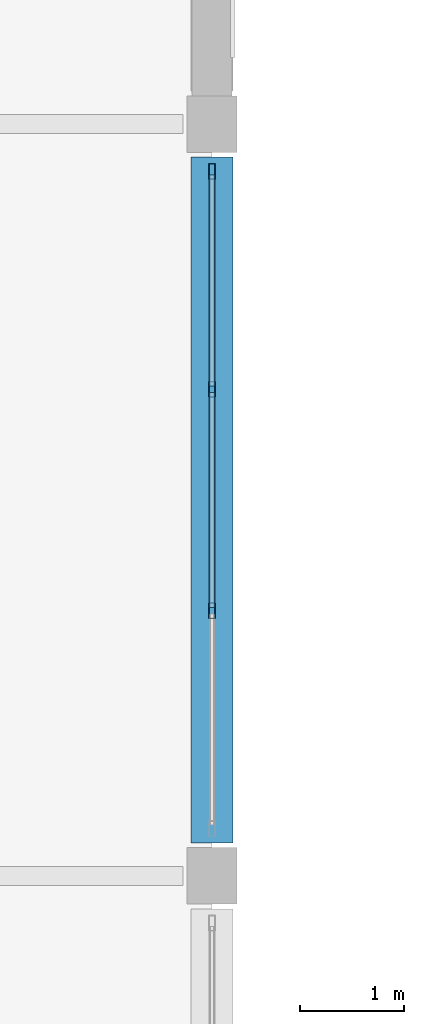
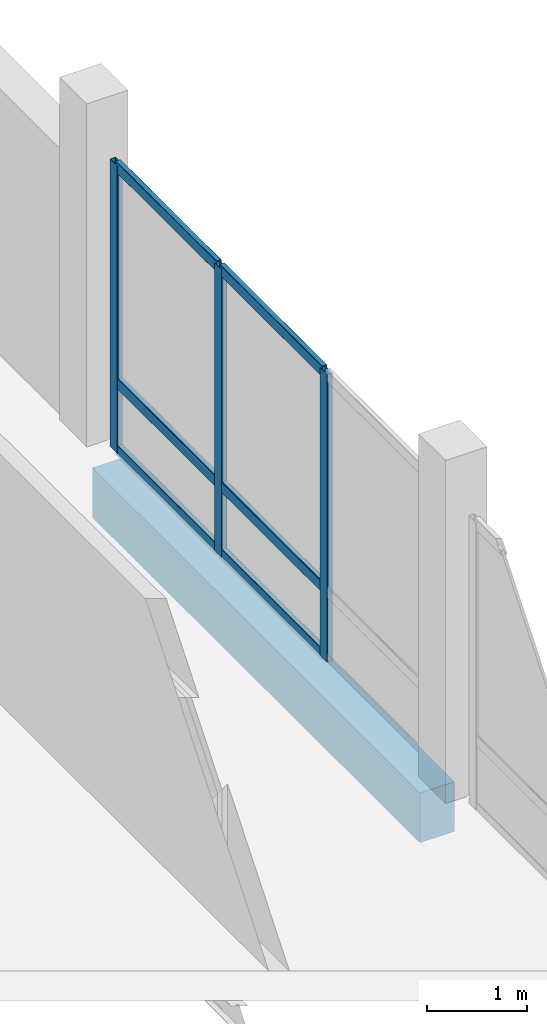
# One storey, part 10 of 72: 9 members, 1 beam, 1 element without a shape of its own.
"""IFC4 building model written with IfcOpenShell, lengths in metres."""

from ifc_helpers import new_model, si_unit, direction, frame, origin, origin_2d, place, context, subcontext, project, spatial, rectangle, hollow_rectangle, extrude, material, material_profile, profile_set, type_object, element, aggregate, save


model = new_model("IFC4")

# Units and contexts
model_context = context("Model", 3, precision=1e-05, world=origin(), true_north=direction((0.0, 1.0)))
body_context = subcontext(model_context, "Body", "Model", "MODEL_VIEW")
ifc_project = project(units=[si_unit("LENGTHUNIT", "METRE"), si_unit("AREAUNIT", "SQUARE_METRE"), si_unit("VOLUMEUNIT", "CUBIC_METRE"), si_unit("PLANEANGLEUNIT", "RADIAN"), si_unit("MASSUNIT", "GRAM", prefix="KILO")], contexts=[model_context])

# Site, building, storey
site_placement = place(None, origin())
site = spatial("IfcSite", under=ifc_project, at=site_placement, CompositionType="ELEMENT")
building_placement = place(site_placement, origin())
building = spatial("IfcBuilding", under=site, at=building_placement, Name="Lusvemor Sports Hall", CompositionType="ELEMENT")
storey_placement = place(building_placement, frame((0.0, 0.0, 15.0)))
storey = spatial("IfcBuildingStorey", under=building, at=storey_placement, Name="L03", CompositionType="ELEMENT", Elevation=15.0)

# Curtain wall, members
ifc_material_1 = material(Name="Thermally broken bronze-anodized aluminium", Category="aluminium")
curtain_wall_type = type_object("IfcCurtainWallType", Name="CW_WING_B", PredefinedType="NOTDEFINED", material=ifc_material_1)
curtain_wall_placement = place(storey_placement, origin())
curtain_wall = element("IfcCurtainWall", 1, at=curtain_wall_placement, inside=storey, type_object=curtain_wall_type, Name="Curtain Wall CW-L03-E-4-1", PredefinedType="NOTDEFINED")
ifc_material_2 = material(Name="Thermally broken bronze-anodized aluminium", Category="aluminium")
ifc_material_profile_1 = material_profile(ifc_material_2, hollow_rectangle(XDim=0.06494140625, YDim=0.14990234375, WallThickness=0.00390625, InnerFilletRadius=0.00390625, OuterFilletRadius=0.008056640625, at=origin_2d()), Name="CWMUL150x65x4")
ifc_profile_set_1 = profile_set([ifc_material_profile_1], Name="Thermally broken bronze-anodized aluminium")
member_type_1 = type_object("IfcMemberType", Name="CW_MUL_B", PredefinedType="MULLION", material=ifc_profile_set_1)
member_1_placement = place(storey_placement, frame((21.60009765625, 67.947509765625, 0.0), z_axis=(0.0, 0.0, 1.0), x_axis=(1.0, 0.0, 0.0)))
member_1 = element("IfcMember", 2, at=member_1_placement, type_object=member_type_1, Name="CW02 mullion 1", PredefinedType="MULLION", context=body_context, shape_type="SweptSolid", body=[
    extrude(hollow_rectangle(XDim=0.06494140625, YDim=0.14990234375, WallThickness=0.00390625, InnerFilletRadius=0.00390625, OuterFilletRadius=0.008056640625, at=origin_2d()), origin(), (0.0, 0.0, 1.0), 3.52001953125),
])
member_2_placement = place(storey_placement, frame((21.60009765625, 65.860107421875, 0.0), z_axis=(0.0, 0.0, 1.0), x_axis=(1.0, 0.0, 0.0)))
member_2 = element("IfcMember", 3, at=member_2_placement, type_object=member_type_1, Name="CW02 mullion 2", PredefinedType="MULLION", context=body_context, shape_type="SweptSolid", body=[
    extrude(hollow_rectangle(XDim=0.06494140625, YDim=0.14990234375, WallThickness=0.00390625, InnerFilletRadius=0.00390625, OuterFilletRadius=0.008056640625, at=origin_2d()), origin(), (0.0, 0.0, 1.0), 3.52001953125),
])
member_3_placement = place(storey_placement, frame((21.60009765625, 63.739990234375, 0.0), z_axis=(0.0, 0.0, 1.0), x_axis=(1.0, 0.0, 0.0)))
member_3 = element("IfcMember", 4, at=member_3_placement, type_object=member_type_1, Name="CW02 mullion 3", PredefinedType="MULLION", context=body_context, shape_type="SweptSolid", body=[
    extrude(hollow_rectangle(XDim=0.06494140625, YDim=0.14990234375, WallThickness=0.00390625, InnerFilletRadius=0.00390625, OuterFilletRadius=0.008056640625, at=origin_2d()), origin(), (0.0, 0.0, 1.0), 3.52001953125),
])
ifc_material_3 = material(Name="Thermally broken bronze-anodized aluminium", Category="aluminium")
ifc_material_profile_2 = material_profile(ifc_material_3, hollow_rectangle(XDim=0.06005859375, YDim=0.135009765625, WallThickness=0.00390625, InnerFilletRadius=0.00390625, OuterFilletRadius=0.008056640625, at=origin_2d()), Name="CWTRN135x60x4")
ifc_profile_set_2 = profile_set([ifc_material_profile_2], Name="Thermally broken bronze-anodized aluminium")
member_type_2 = type_object("IfcMemberType", Name="CW_TRN_B", PredefinedType="USERDEFINED", material=ifc_profile_set_2)
member_4_placement = place(storey_placement, frame((21.60009765625, 67.9150390625, 0.030029296875), z_axis=(0.0, -1.0, 0.0), x_axis=(1.0, 0.0, 0.0)))
member_4 = element("IfcMember", 5, at=member_4_placement, type_object=member_type_2, Name="CW02 transom 1.1", ObjectType="TRANSOM", PredefinedType="USERDEFINED", context=body_context, shape_type="SweptSolid", body=[
    extrude(hollow_rectangle(XDim=0.06005859375, YDim=0.135009765625, WallThickness=0.00390625, InnerFilletRadius=0.00390625, OuterFilletRadius=0.008056640625, at=origin_2d()), origin(), (0.0, 0.0, 1.0), 2.0224609375),
])
member_5_placement = place(storey_placement, frame((21.60009765625, 67.9150390625, 0.85009765625), z_axis=(0.0, -1.0, 0.0), x_axis=(1.0, 0.0, 0.0)))
member_5 = element("IfcMember", 6, at=member_5_placement, type_object=member_type_2, Name="CW02 transom 1.2", ObjectType="TRANSOM", PredefinedType="USERDEFINED", context=body_context, shape_type="SweptSolid", body=[
    extrude(hollow_rectangle(XDim=0.06005859375, YDim=0.135009765625, WallThickness=0.00390625, InnerFilletRadius=0.00390625, OuterFilletRadius=0.008056640625, at=origin_2d()), origin(), (0.0, 0.0, 1.0), 2.0224609375),
])
member_6_placement = place(storey_placement, frame((21.60009765625, 67.9150390625, 3.489990234375), z_axis=(0.0, -1.0, 0.0), x_axis=(1.0, 0.0, 0.0)))
member_6 = element("IfcMember", 7, at=member_6_placement, type_object=member_type_2, Name="CW02 transom 1.3", ObjectType="TRANSOM", PredefinedType="USERDEFINED", context=body_context, shape_type="SweptSolid", body=[
    extrude(hollow_rectangle(XDim=0.06005859375, YDim=0.135009765625, WallThickness=0.00390625, InnerFilletRadius=0.00390625, OuterFilletRadius=0.008056640625, at=origin_2d()), origin(), (0.0, 0.0, 1.0), 2.0224609375),
])
member_7_placement = place(storey_placement, frame((21.60009765625, 65.827392578125, 0.030029296875), z_axis=(0.0, -1.0, 0.0), x_axis=(1.0, 0.0, 0.0)))
member_7 = element("IfcMember", 8, at=member_7_placement, type_object=member_type_2, Name="CW02 transom 2.1", ObjectType="TRANSOM", PredefinedType="USERDEFINED", context=body_context, shape_type="SweptSolid", body=[
    extrude(hollow_rectangle(XDim=0.06005859375, YDim=0.135009765625, WallThickness=0.00390625, InnerFilletRadius=0.00390625, OuterFilletRadius=0.008056640625, at=origin_2d()), origin(), (0.0, 0.0, 1.0), 2.054931640625),
])
member_8_placement = place(storey_placement, frame((21.60009765625, 65.827392578125, 0.85009765625), z_axis=(0.0, -1.0, 0.0), x_axis=(1.0, 0.0, 0.0)))
member_8 = element("IfcMember", 9, at=member_8_placement, type_object=member_type_2, Name="CW02 transom 2.2", ObjectType="TRANSOM", PredefinedType="USERDEFINED", context=body_context, shape_type="SweptSolid", body=[
    extrude(hollow_rectangle(XDim=0.06005859375, YDim=0.135009765625, WallThickness=0.00390625, InnerFilletRadius=0.00390625, OuterFilletRadius=0.008056640625, at=origin_2d()), origin(), (0.0, 0.0, 1.0), 2.054931640625),
])
member_9_placement = place(storey_placement, frame((21.60009765625, 65.827392578125, 3.489990234375), z_axis=(0.0, -1.0, 0.0), x_axis=(1.0, 0.0, 0.0)))
member_9 = element("IfcMember", 10, at=member_9_placement, type_object=member_type_2, Name="CW02 transom 2.3", ObjectType="TRANSOM", PredefinedType="USERDEFINED", context=body_context, shape_type="SweptSolid", body=[
    extrude(hollow_rectangle(XDim=0.06005859375, YDim=0.135009765625, WallThickness=0.00390625, InnerFilletRadius=0.00390625, OuterFilletRadius=0.008056640625, at=origin_2d()), origin(), (0.0, 0.0, 1.0), 2.054931640625),
])
aggregate(curtain_wall, [member_1, member_2, member_3, member_4, member_5, member_6, member_7, member_8, member_9])

# Beam
ifc_material_4 = material(Name="Concrete C40/50", Category="concrete")
ifc_material_profile_3 = material_profile(ifc_material_4, rectangle(XDim=0.39990234375, YDim=0.610107421875, at=origin_2d()), Name="RC400x610")
ifc_profile_set_3 = profile_set([ifc_material_profile_3], Name="Concrete C40/50")
beam_type = type_object("IfcBeamType", Name="SPAND_EXT_650", PredefinedType="SPANDREL", material=ifc_profile_set_3)
beam_placement = place(storey_placement, frame((21.60009765625, 61.51611328125, -0.544921875), z_axis=(0.0, 1.0, 0.0), x_axis=(-1.0, 0.0, 0.0)))
element("IfcBeam", 11, at=beam_placement, inside=storey, type_object=beam_type, Name="Beam L03 3:H-J", PredefinedType="SPANDREL", context=body_context, shape_type="SweptSolid", body=[
    extrude(rectangle(XDim=0.39990234375, YDim=0.610107421875, at=origin_2d()), origin(), (0.0, 0.0, 1.0), 6.56787109375),
])

save(model, "model.ifc")
